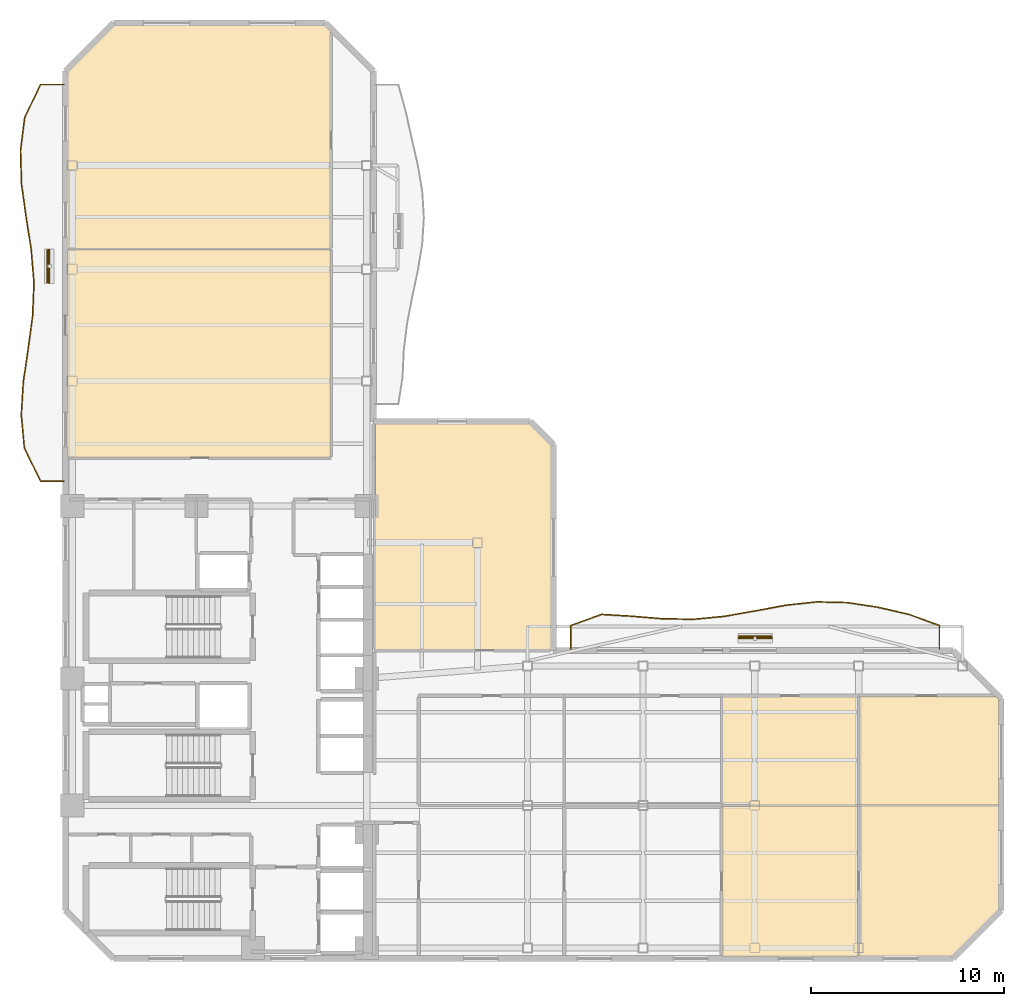
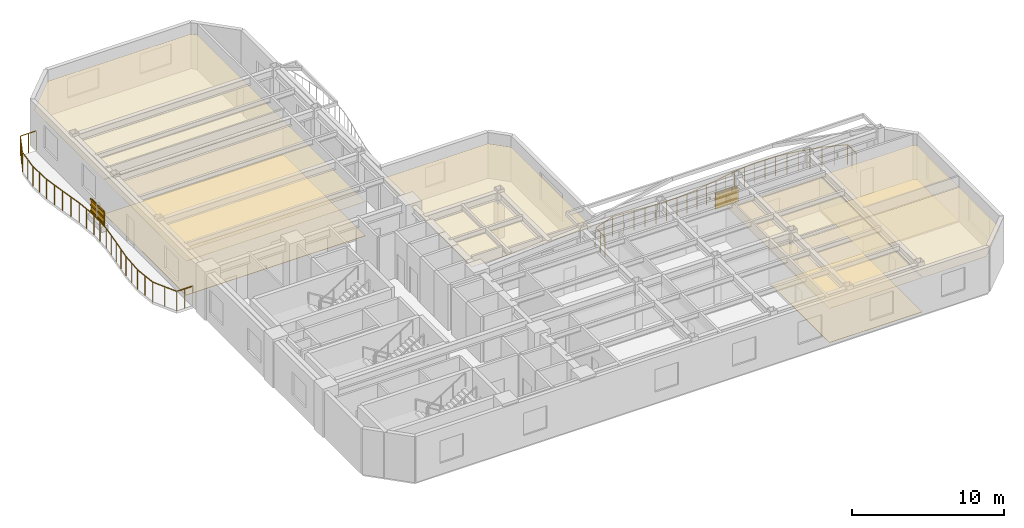
# One storey, part 8 of 9: 10 coverings, 8 shading devices, 2 railings.
"""IFC4 building model written with IfcOpenShell, lengths in metres."""

from ifc_helpers import new_model, si_unit, direction, frame, origin, origin_2d, place, context, subcontext, project, spatial, polyline, rectangle, outline, extrude, material, layer, layer_set, material_profile, profile_set, type_object, element, save


model = new_model("IFC4")

# Units and contexts
model_context = context("Model", 3, precision=1e-05, world=origin(), true_north=direction((0.0, 1.0)))
body_context = subcontext(model_context, "Body", "Model", "MODEL_VIEW")
ifc_project = project(units=[si_unit("LENGTHUNIT", "METRE"), si_unit("AREAUNIT", "SQUARE_METRE"), si_unit("VOLUMEUNIT", "CUBIC_METRE"), si_unit("PLANEANGLEUNIT", "RADIAN"), si_unit("MASSUNIT", "GRAM", prefix="KILO")], contexts=[model_context])

# Site, building, storey
site_placement = place(None, origin())
site = spatial("IfcSite", under=ifc_project, at=site_placement, CompositionType="ELEMENT")
building_placement = place(site_placement, origin())
building = spatial("IfcBuilding", under=site, at=building_placement, Name="Mawjaban Terraces University", CompositionType="ELEMENT")
storey_placement = place(building_placement, frame((0.0, 0.0, 126.800048828125)))
storey = spatial("IfcBuildingStorey", under=building, at=storey_placement, Name="L30", CompositionType="ELEMENT", Elevation=126.800048828125)

# Coverings
ifc_material_1 = material(Name="Acoustic mineral fibre ceiling tile", Category="masonry")
ifc_layer_1 = layer(ifc_material_1, 0.02001953125)
ifc_layer_set_1 = layer_set([ifc_layer_1], Name="Acoustic mineral fibre ceiling tile")
covering_type_1 = type_object("IfcCoveringType", Name="AcousticMineralCeiling_20", PredefinedType="CEILING", material=ifc_layer_set_1)
covering_1_placement = place(storey_placement, frame((0.0, 0.0, 2.75)))
element("IfcCovering", 1, at=covering_1_placement, inside=storey, type_object=covering_type_1, Name="L30 Reading Salon 6 Acoustic Ceiling", PredefinedType="CEILING", context=body_context, shape_type="SweptSolid", body=[
    extrude(outline(polyline([(56.110107421875, 0.114990234375), (63.169921875, 0.114990234375), (63.169921875, 7.919921875), (56.110107421875, 7.919921875), (56.110107421875, 0.114990234375)])), origin(), (0.0, 0.0, 1.0), 0.02001953125),
])
covering_2_placement = place(storey_placement, frame((0.0, 0.0, 2.75)))
element("IfcCovering", 2, at=covering_2_placement, inside=storey, type_object=covering_type_1, Name="L30 Academic Counseling Room 7 Acoustic Ceiling", PredefinedType="CEILING", context=body_context, shape_type="SweptSolid", body=[
    extrude(outline(polyline([(63.169921875, 7.97998046875), (63.169921875, 13.6201171875), (56.110107421875, 13.6201171875), (56.110107421875, 7.97998046875), (63.169921875, 7.97998046875)])), origin(), (0.0, 0.0, 1.0), 0.02001953125),
])
covering_3_placement = place(storey_placement, frame((0.0, 0.0, 2.75)))
element("IfcCovering", 3, at=covering_3_placement, inside=storey, type_object=covering_type_1, Name="L30 Academic Counseling Room 8 Acoustic Ceiling", PredefinedType="CEILING", context=body_context, shape_type="SweptSolid", body=[
    extrude(outline(polyline([(63.22998046875, 0.114990234375), (68.052978515625, 0.114990234375), (70.485107421875, 2.547119140625), (70.485107421875, 7.919921875), (63.22998046875, 7.919921875), (63.22998046875, 0.114990234375)])), origin(), (0.0, 0.0, 1.0), 0.02001953125),
])
covering_4_placement = place(storey_placement, frame((0.0, 0.0, 2.75)))
element("IfcCovering", 4, at=covering_4_placement, inside=storey, type_object=covering_type_1, Name="L30 Classroom 9 Acoustic Ceiling", PredefinedType="CEILING", context=body_context, shape_type="SweptSolid", body=[
    extrude(outline(polyline([(70.485107421875, 7.97998046875), (70.485107421875, 13.452880859375), (70.318115234375, 13.6201171875), (63.22998046875, 13.6201171875), (63.22998046875, 7.97998046875), (70.485107421875, 7.97998046875)])), origin(), (0.0, 0.0, 1.0), 0.02001953125),
])
covering_5_placement = place(storey_placement, frame((0.0, 0.0, 2.75)))
element("IfcCovering", 5, at=covering_5_placement, inside=storey, type_object=covering_type_1, Name="L30 Seminar Room 10 Acoustic Ceiling", PredefinedType="CEILING", context=body_context, shape_type="SweptSolid", body=[
    extrude(outline(polyline([(22.114990234375, 36.818115234375), (22.114990234375, 26.030029296875), (35.77001953125, 26.030029296875), (35.77001953125, 36.818115234375), (22.114990234375, 36.818115234375)])), origin(), (0.0, 0.0, 1.0), 0.02001953125),
])
covering_6_placement = place(storey_placement, frame((0.0, 0.0, 2.75)))
element("IfcCovering", 6, at=covering_6_placement, inside=storey, type_object=covering_type_1, Name="L30 Faculty Office 11 Acoustic Ceiling", PredefinedType="CEILING", context=body_context, shape_type="SweptSolid", body=[
    extrude(outline(polyline([(35.77001953125, 48.16796875), (35.452880859375, 48.485107421875), (24.547119140625, 48.485107421875), (22.114990234375, 46.052978515625), (22.114990234375, 36.8779296875), (35.77001953125, 36.8779296875), (35.77001953125, 48.16796875)])), origin(), (0.0, 0.0, 1.0), 0.02001953125),
])
covering_7_placement = place(storey_placement, frame((0.0, 0.0, 2.75)))
element("IfcCovering", 7, at=covering_7_placement, inside=storey, type_object=covering_type_1, Name="L30 Terrace Collaborative Study Room Acoustic Ceiling", PredefinedType="CEILING", context=body_context, shape_type="SweptSolid", body=[
    extrude(outline(polyline([(47.236083984375, 16.030029296875), (47.236083984375, 26.653076171875), (46.10400390625, 27.784912109375), (38.080078125, 27.784912109375), (38.080078125, 16.030029296875), (47.236083984375, 16.030029296875)])), origin(), (0.0, 0.0, 1.0), 0.02001953125),
])

# Railings
ifc_material_2 = material(Name="Galvanised powder-coated steel S355", Category="steel")
railing_type = type_object("IfcRailingType", Name="BalconyBalustrade_1600", PredefinedType="BALUSTRADE", material=ifc_material_2)
railing_1_placement = place(storey_placement, frame((21.919921875, 24.800048828125, 0.0)))
element("IfcRailing", 8, at=railing_1_placement, inside=storey, type_object=railing_type, Name="L30 Balcony Guardrail west", PredefinedType="BALUSTRADE", context=body_context, shape_type="SweptSolid", body=[
    extrude(rectangle(XDim=0.048095703125, YDim=0.048095703125, at=origin_2d()), frame((0.0, 0.0, 1.576171875), z_axis=(-1.0, 0.0, 0.0), x_axis=(0.0, -1.0, 0.0)), (0.0, 0.0, 1.0), 1.219970703125),
    extrude(rectangle(XDim=0.048095703125, YDim=0.048095703125, at=origin_2d()), frame((-1.219970703125, 0.0, 1.576171875), z_axis=(-0.438967233207, 0.898503070763, 0.0), x_axis=(-0.898503070763, -0.438967233207, 0.0)), (0.0, 0.0, 1.0), 1.910888671875),
    extrude(rectangle(XDim=0.048095703125, YDim=0.048095703125, at=origin_2d()), frame((-2.058837890625, 1.717041015625, 1.576171875), z_axis=(-0.092375103875, 0.995724279198, 0.0), x_axis=(-0.995724279198, -0.092375103875, 0.0)), (0.0, 0.0, 1.0), 1.72314453125),
    extrude(rectangle(XDim=0.048095703125, YDim=0.048095703125, at=origin_2d()), frame((-2.218017578125, 3.432861328125, 1.576171875), z_axis=(0.060460779806, 0.998170573652, 0.0), x_axis=(-0.998170573652, 0.060460779806, 0.0)), (0.0, 0.0, 1.0), 1.72021484375),
    extrude(rectangle(XDim=0.048095703125, YDim=0.048095703125, at=origin_2d()), frame((-2.114013671875, 5.14990234375, 1.576171875), z_axis=(0.145319838809, 0.989384730248, 0.0), x_axis=(-0.989384730248, 0.145319838809, 0.0)), (0.0, 0.0, 1.0), 1.7353515625),
    extrude(rectangle(XDim=0.048095703125, YDim=0.048095703125, at=origin_2d()), frame((-1.86181640625, 6.866943359375, 1.576171875), z_axis=(0.13449037063, 0.990914900588, 0.0), x_axis=(-0.990914900588, 0.13449037063, 0.0)), (0.0, 0.0, 1.0), 1.731689453125),
    extrude(rectangle(XDim=0.048095703125, YDim=0.048095703125, at=origin_2d()), frame((-1.62890625, 8.5830078125, 1.576171875), z_axis=(0.03949709548, 0.999219685279, 0.0), x_axis=(-0.999219685279, 0.03949709548, 0.0)), (0.0, 0.0, 1.0), 1.71826171875),
    extrude(rectangle(XDim=0.048095703125, YDim=0.048095703125, at=origin_2d()), frame((-1.56103515625, 10.300048828125, 1.576171875), z_axis=(-0.081778633237, 0.996650518058, 0.0), x_axis=(-0.996650518058, -0.081778633237, 0.0)), (0.0, 0.0, 1.0), 1.72265625),
    extrude(rectangle(XDim=0.048095703125, YDim=0.048095703125, at=origin_2d()), frame((-1.701904296875, 12.016845703125, 1.576171875), z_axis=(-0.155435721356, 0.987846008509, 0.0), x_axis=(-0.987846008509, -0.155435721356, 0.0)), (0.0, 0.0, 1.0), 1.737060546875),
    extrude(rectangle(XDim=0.048095703125, YDim=0.048095703125, at=origin_2d()), frame((-1.971923828125, 13.73291015625, 1.576171875), z_axis=(-0.136766084598, 0.990603370731, 0.0), x_axis=(-0.990603370731, -0.136766084598, 0.0)), (0.0, 0.0, 1.0), 1.7333984375),
    extrude(rectangle(XDim=0.048095703125, YDim=0.048095703125, at=origin_2d()), frame((-2.208984375, 15.449951171875, 1.576171875), z_axis=(-0.02842587525, 0.999595903161, 0.0), x_axis=(-0.999595903161, -0.02842587525, 0.0)), (0.0, 0.0, 1.0), 1.7177734375),
    extrude(rectangle(XDim=0.048095703125, YDim=0.048095703125, at=origin_2d()), frame((-2.2578125, 17.1669921875, 1.576171875), z_axis=(0.124781739438, 0.992184215508, 0.0), x_axis=(-0.992184215508, 0.124781739438, 0.0)), (0.0, 0.0, 1.0), 1.7294921875),
    extrude(rectangle(XDim=0.048095703125, YDim=0.048095703125, at=origin_2d()), frame((-2.0419921875, 18.883056640625, 1.576171875), z_axis=(0.431859381841, 0.901940948353, 0.0), x_axis=(-0.901940948353, 0.431859381841, 0.0)), (0.0, 0.0, 1.0), 1.903564453125),
    extrude(rectangle(XDim=0.048095703125, YDim=0.048095703125, at=origin_2d()), frame((-1.219970703125, 20.599853515625, 1.576171875), z_axis=(1.0, 0.0, 0.0), x_axis=(0.0, 1.0, 0.0)), (0.0, 0.0, 1.0), 1.219970703125),
    extrude(rectangle(XDim=0.0419921875, YDim=0.0419921875, at=origin_2d()), origin(), (0.0, 0.0, 1.0), 1.552001953125),
    extrude(rectangle(XDim=0.0419921875, YDim=0.0419921875, at=origin_2d()), frame((-0.60986328125, 0.0, 0.0)), (0.0, 0.0, 1.0), 1.552001953125),
    extrude(rectangle(XDim=0.0419921875, YDim=0.0419921875, at=origin_2d()), frame((-1.219970703125, 0.0, 0.0)), (0.0, 0.0, 1.0), 1.552001953125),
    extrude(rectangle(XDim=0.0419921875, YDim=0.0419921875, at=origin_2d()), frame((-1.639404296875, 0.8583984375, 0.0)), (0.0, 0.0, 1.0), 1.552001953125),
    extrude(rectangle(XDim=0.0419921875, YDim=0.0419921875, at=origin_2d()), frame((-2.058837890625, 1.717041015625, 0.0)), (0.0, 0.0, 1.0), 1.552001953125),
    extrude(rectangle(XDim=0.0419921875, YDim=0.0419921875, at=origin_2d()), frame((-2.138427734375, 2.574951171875, 0.0)), (0.0, 0.0, 1.0), 1.552001953125),
    extrude(rectangle(XDim=0.0419921875, YDim=0.0419921875, at=origin_2d()), frame((-2.218017578125, 3.432861328125, 0.0)), (0.0, 0.0, 1.0), 1.552001953125),
    extrude(rectangle(XDim=0.0419921875, YDim=0.0419921875, at=origin_2d()), frame((-2.166015625, 4.29150390625, 0.0)), (0.0, 0.0, 1.0), 1.552001953125),
    extrude(rectangle(XDim=0.0419921875, YDim=0.0419921875, at=origin_2d()), frame((-2.114013671875, 5.14990234375, 0.0)), (0.0, 0.0, 1.0), 1.552001953125),
    extrude(rectangle(XDim=0.0419921875, YDim=0.0419921875, at=origin_2d()), frame((-1.98779296875, 6.00830078125, 0.0)), (0.0, 0.0, 1.0), 1.552001953125),
    extrude(rectangle(XDim=0.0419921875, YDim=0.0419921875, at=origin_2d()), frame((-1.86181640625, 6.866943359375, 0.0)), (0.0, 0.0, 1.0), 1.552001953125),
    extrude(rectangle(XDim=0.0419921875, YDim=0.0419921875, at=origin_2d()), frame((-1.745361328125, 7.72509765625, 0.0)), (0.0, 0.0, 1.0), 1.552001953125),
    extrude(rectangle(XDim=0.0419921875, YDim=0.0419921875, at=origin_2d()), frame((-1.62890625, 8.5830078125, 0.0)), (0.0, 0.0, 1.0), 1.552001953125),
    extrude(rectangle(XDim=0.0419921875, YDim=0.0419921875, at=origin_2d()), frame((-1.594970703125, 9.44140625, 0.0)), (0.0, 0.0, 1.0), 1.552001953125),
    extrude(rectangle(XDim=0.0419921875, YDim=0.0419921875, at=origin_2d()), frame((-1.56103515625, 10.300048828125, 0.0)), (0.0, 0.0, 1.0), 1.552001953125),
    extrude(rectangle(XDim=0.0419921875, YDim=0.0419921875, at=origin_2d()), frame((-1.63134765625, 11.158447265625, 0.0)), (0.0, 0.0, 1.0), 1.552001953125),
    extrude(rectangle(XDim=0.0419921875, YDim=0.0419921875, at=origin_2d()), frame((-1.701904296875, 12.016845703125, 0.0)), (0.0, 0.0, 1.0), 1.552001953125),
    extrude(rectangle(XDim=0.0419921875, YDim=0.0419921875, at=origin_2d()), frame((-1.8369140625, 12.875, 0.0)), (0.0, 0.0, 1.0), 1.552001953125),
    extrude(rectangle(XDim=0.0419921875, YDim=0.0419921875, at=origin_2d()), frame((-1.971923828125, 13.73291015625, 0.0)), (0.0, 0.0, 1.0), 1.552001953125),
    extrude(rectangle(XDim=0.0419921875, YDim=0.0419921875, at=origin_2d()), frame((-2.09033203125, 14.59130859375, 0.0)), (0.0, 0.0, 1.0), 1.552001953125),
    extrude(rectangle(XDim=0.0419921875, YDim=0.0419921875, at=origin_2d()), frame((-2.208984375, 15.449951171875, 0.0)), (0.0, 0.0, 1.0), 1.552001953125),
    extrude(rectangle(XDim=0.0419921875, YDim=0.0419921875, at=origin_2d()), frame((-2.2333984375, 16.30859375, 0.0)), (0.0, 0.0, 1.0), 1.552001953125),
    extrude(rectangle(XDim=0.0419921875, YDim=0.0419921875, at=origin_2d()), frame((-2.2578125, 17.1669921875, 0.0)), (0.0, 0.0, 1.0), 1.552001953125),
    extrude(rectangle(XDim=0.0419921875, YDim=0.0419921875, at=origin_2d()), frame((-2.14990234375, 18.02490234375, 0.0)), (0.0, 0.0, 1.0), 1.552001953125),
    extrude(rectangle(XDim=0.0419921875, YDim=0.0419921875, at=origin_2d()), frame((-2.0419921875, 18.883056640625, 0.0)), (0.0, 0.0, 1.0), 1.552001953125),
    extrude(rectangle(XDim=0.0419921875, YDim=0.0419921875, at=origin_2d()), frame((-1.630859375, 19.741455078125, 0.0)), (0.0, 0.0, 1.0), 1.552001953125),
    extrude(rectangle(XDim=0.0419921875, YDim=0.0419921875, at=origin_2d()), frame((-1.219970703125, 20.599853515625, 0.0)), (0.0, 0.0, 1.0), 1.552001953125),
    extrude(rectangle(XDim=0.0419921875, YDim=0.0419921875, at=origin_2d()), frame((-0.60986328125, 20.599853515625, 0.0)), (0.0, 0.0, 1.0), 1.552001953125),
    extrude(rectangle(XDim=0.0419921875, YDim=0.0419921875, at=origin_2d()), frame((0.0, 20.599853515625, 0.0)), (0.0, 0.0, 1.0), 1.552001953125),
])
railing_2_placement = place(storey_placement, frame((48.2509765625, 16.080078125, 0.0)))
element("IfcRailing", 9, at=railing_2_placement, inside=storey, type_object=railing_type, Name="L30 Balcony Guardrail inner_north", PredefinedType="BALUSTRADE", context=body_context, shape_type="SweptSolid", body=[
    extrude(rectangle(XDim=0.048095703125, YDim=0.048095703125, at=origin_2d()), frame((0.0, 0.0, 1.576171875), z_axis=(0.0, 1.0, 0.0), x_axis=(-1.0, 0.0, 0.0)), (0.0, 0.0, 1.0), 1.219970703125),
    extrude(rectangle(XDim=0.048095703125, YDim=0.048095703125, at=origin_2d()), frame((0.0, 1.219970703125, 1.576171875), z_axis=(0.940626659326, 0.339442907962, 0.0), x_axis=(-0.339442907962, 0.940626659326, 0.0)), (0.0, 0.0, 1.0), 1.69677734375),
    extrude(rectangle(XDim=0.048095703125, YDim=0.048095703125, at=origin_2d()), frame((1.595947265625, 1.7958984375, 1.576171875), z_axis=(0.998303755158, -0.05822037819, 0.0), x_axis=(0.05822037819, 0.998303755158, 0.0)), (0.0, 0.0, 1.0), 1.59765625),
    extrude(rectangle(XDim=0.048095703125, YDim=0.048095703125, at=origin_2d()), frame((3.19091796875, 1.702880859375, 1.576171875), z_axis=(0.99649300158, -0.083676148343, 0.0), x_axis=(0.083676148343, 0.99649300158, 0.0)), (0.0, 0.0, 1.0), 1.601806640625),
    extrude(rectangle(XDim=0.048095703125, YDim=0.048095703125, at=origin_2d()), frame((4.787109375, 1.56884765625, 1.576171875), z_axis=(0.999896628362, -0.014378198419, 0.0), x_axis=(0.014378198419, 0.999896628362, 0.0)), (0.0, 0.0, 1.0), 1.59619140625),
    extrude(rectangle(XDim=0.048095703125, YDim=0.048095703125, at=origin_2d()), frame((6.383056640625, 1.5458984375, 1.576171875), z_axis=(0.995546661763, 0.094270060216, 0.0), x_axis=(-0.094270060216, 0.995546661763, 0.0)), (0.0, 0.0, 1.0), 1.60302734375),
    extrude(rectangle(XDim=0.048095703125, YDim=0.048095703125, at=origin_2d()), frame((7.97900390625, 1.697021484375, 1.576171875), z_axis=(0.984643735334, 0.17457581295, 0.0), x_axis=(-0.17457581295, 0.984643735334, 0.0)), (0.0, 0.0, 1.0), 1.620849609375),
    extrude(rectangle(XDim=0.048095703125, YDim=0.048095703125, at=origin_2d()), frame((9.574951171875, 1.97998046875, 1.576171875), z_axis=(0.983330877725, 0.181825149287, 0.0), x_axis=(-0.181825149287, 0.983330877725, 0.0)), (0.0, 0.0, 1.0), 1.6220703125),
    extrude(rectangle(XDim=0.048095703125, YDim=0.048095703125, at=origin_2d()), frame((11.169921875, 2.27490234375, 1.576171875), z_axis=(0.994171420844, 0.107810880602, 0.0), x_axis=(-0.107810880602, 0.994171420844, 0.0)), (0.0, 0.0, 1.0), 1.60546875),
    extrude(rectangle(XDim=0.048095703125, YDim=0.048095703125, at=origin_2d()), frame((12.76611328125, 2.447998046875, 1.576171875), z_axis=(0.999729775858, -0.023245973066, 0.0), x_axis=(0.023245973066, 0.999729775858, 0.0)), (0.0, 0.0, 1.0), 1.596435546875),
    extrude(rectangle(XDim=0.048095703125, YDim=0.048095703125, at=origin_2d()), frame((14.362060546875, 2.410888671875, 1.576171875), z_axis=(0.988613457964, -0.150477342921, 0.0), x_axis=(0.150477342921, 0.988613457964, 0.0)), (0.0, 0.0, 1.0), 1.6142578125),
    extrude(rectangle(XDim=0.048095703125, YDim=0.048095703125, at=origin_2d()), frame((15.9580078125, 2.16796875, 1.576171875), z_axis=(0.974541824701, -0.224205780273, 0.0), x_axis=(0.224205780273, 0.974541824701, 0.0)), (0.0, 0.0, 1.0), 1.63671875),
    extrude(rectangle(XDim=0.048095703125, YDim=0.048095703125, at=origin_2d()), frame((17.552978515625, 1.801025390625, 1.576171875), z_axis=(0.939659049307, -0.342112366124, 0.0), x_axis=(0.342112366124, 0.939659049307, 0.0)), (0.0, 0.0, 1.0), 1.698486328125),
    extrude(rectangle(XDim=0.048095703125, YDim=0.048095703125, at=origin_2d()), frame((19.14892578125, 1.219970703125, 1.576171875), z_axis=(0.0, -1.0, 0.0), x_axis=(1.0, 0.0, 0.0)), (0.0, 0.0, 1.0), 1.219970703125),
    extrude(rectangle(XDim=0.0419921875, YDim=0.0419921875, at=origin_2d()), origin(), (0.0, 0.0, 1.0), 1.552001953125),
    extrude(rectangle(XDim=0.0419921875, YDim=0.0419921875, at=origin_2d()), frame((0.0, 0.60986328125, 0.0)), (0.0, 0.0, 1.0), 1.552001953125),
    extrude(rectangle(XDim=0.0419921875, YDim=0.0419921875, at=origin_2d()), frame((0.0, 1.219970703125, 0.0)), (0.0, 0.0, 1.0), 1.552001953125),
    extrude(rectangle(XDim=0.0419921875, YDim=0.0419921875, at=origin_2d()), frame((0.7978515625, 1.5078125, 0.0)), (0.0, 0.0, 1.0), 1.552001953125),
    extrude(rectangle(XDim=0.0419921875, YDim=0.0419921875, at=origin_2d()), frame((1.595947265625, 1.7958984375, 0.0)), (0.0, 0.0, 1.0), 1.552001953125),
    extrude(rectangle(XDim=0.0419921875, YDim=0.0419921875, at=origin_2d()), frame((2.3935546875, 1.74951171875, 0.0)), (0.0, 0.0, 1.0), 1.552001953125),
    extrude(rectangle(XDim=0.0419921875, YDim=0.0419921875, at=origin_2d()), frame((3.19091796875, 1.702880859375, 0.0)), (0.0, 0.0, 1.0), 1.552001953125),
    extrude(rectangle(XDim=0.0419921875, YDim=0.0419921875, at=origin_2d()), frame((3.989013671875, 1.6357421875, 0.0)), (0.0, 0.0, 1.0), 1.552001953125),
    extrude(rectangle(XDim=0.0419921875, YDim=0.0419921875, at=origin_2d()), frame((4.787109375, 1.56884765625, 0.0)), (0.0, 0.0, 1.0), 1.552001953125),
    extrude(rectangle(XDim=0.0419921875, YDim=0.0419921875, at=origin_2d()), frame((5.5849609375, 1.557373046875, 0.0)), (0.0, 0.0, 1.0), 1.552001953125),
    extrude(rectangle(XDim=0.0419921875, YDim=0.0419921875, at=origin_2d()), frame((6.383056640625, 1.5458984375, 0.0)), (0.0, 0.0, 1.0), 1.552001953125),
    extrude(rectangle(XDim=0.0419921875, YDim=0.0419921875, at=origin_2d()), frame((7.18115234375, 1.62158203125, 0.0)), (0.0, 0.0, 1.0), 1.552001953125),
    extrude(rectangle(XDim=0.0419921875, YDim=0.0419921875, at=origin_2d()), frame((7.97900390625, 1.697021484375, 0.0)), (0.0, 0.0, 1.0), 1.552001953125),
    extrude(rectangle(XDim=0.0419921875, YDim=0.0419921875, at=origin_2d()), frame((8.77685546875, 1.83837890625, 0.0)), (0.0, 0.0, 1.0), 1.552001953125),
    extrude(rectangle(XDim=0.0419921875, YDim=0.0419921875, at=origin_2d()), frame((9.574951171875, 1.97998046875, 0.0)), (0.0, 0.0, 1.0), 1.552001953125),
    extrude(rectangle(XDim=0.0419921875, YDim=0.0419921875, at=origin_2d()), frame((10.37255859375, 2.12744140625, 0.0)), (0.0, 0.0, 1.0), 1.552001953125),
    extrude(rectangle(XDim=0.0419921875, YDim=0.0419921875, at=origin_2d()), frame((11.169921875, 2.27490234375, 0.0)), (0.0, 0.0, 1.0), 1.552001953125),
    extrude(rectangle(XDim=0.0419921875, YDim=0.0419921875, at=origin_2d()), frame((11.968017578125, 2.361328125, 0.0)), (0.0, 0.0, 1.0), 1.552001953125),
    extrude(rectangle(XDim=0.0419921875, YDim=0.0419921875, at=origin_2d()), frame((12.76611328125, 2.447998046875, 0.0)), (0.0, 0.0, 1.0), 1.552001953125),
    extrude(rectangle(XDim=0.0419921875, YDim=0.0419921875, at=origin_2d()), frame((13.56396484375, 2.429443359375, 0.0)), (0.0, 0.0, 1.0), 1.552001953125),
    extrude(rectangle(XDim=0.0419921875, YDim=0.0419921875, at=origin_2d()), frame((14.362060546875, 2.410888671875, 0.0)), (0.0, 0.0, 1.0), 1.552001953125),
    extrude(rectangle(XDim=0.0419921875, YDim=0.0419921875, at=origin_2d()), frame((15.16015625, 2.28955078125, 0.0)), (0.0, 0.0, 1.0), 1.552001953125),
    extrude(rectangle(XDim=0.0419921875, YDim=0.0419921875, at=origin_2d()), frame((15.9580078125, 2.16796875, 0.0)), (0.0, 0.0, 1.0), 1.552001953125),
    extrude(rectangle(XDim=0.0419921875, YDim=0.0419921875, at=origin_2d()), frame((16.75537109375, 1.984375, 0.0)), (0.0, 0.0, 1.0), 1.552001953125),
    extrude(rectangle(XDim=0.0419921875, YDim=0.0419921875, at=origin_2d()), frame((17.552978515625, 1.801025390625, 0.0)), (0.0, 0.0, 1.0), 1.552001953125),
    extrude(rectangle(XDim=0.0419921875, YDim=0.0419921875, at=origin_2d()), frame((18.35107421875, 1.510498046875, 0.0)), (0.0, 0.0, 1.0), 1.552001953125),
    extrude(rectangle(XDim=0.0419921875, YDim=0.0419921875, at=origin_2d()), frame((19.14892578125, 1.219970703125, 0.0)), (0.0, 0.0, 1.0), 1.552001953125),
    extrude(rectangle(XDim=0.0419921875, YDim=0.0419921875, at=origin_2d()), frame((19.14892578125, 0.60986328125, 0.0)), (0.0, 0.0, 1.0), 1.552001953125),
    extrude(rectangle(XDim=0.0419921875, YDim=0.0419921875, at=origin_2d()), frame((19.14892578125, 0.0, 0.0)), (0.0, 0.0, 1.0), 1.552001953125),
])

# Shading devices
ifc_material_3 = material(Name="Glazed architectural terracotta ceramic", Category="masonry")
ifc_material_profile = material_profile(ifc_material_3, rectangle(XDim=0.06494140625, YDim=0.110107421875, at=origin_2d()), Name="TBAG110X65")
ifc_profile_set = profile_set([ifc_material_profile], Name="Glazed architectural terracotta ceramic")
shading_device_type_1 = type_object("IfcShadingDeviceType", Name="TerracottaBaguette_110x65", PredefinedType="USERDEFINED", material=ifc_profile_set)
for number, where, z_axis, x_axis, name in (
    (10, (21.06396484375, 35.10888671875, 0.679931640625), (0.0, 1.0, 0.0), (-1.0, 0.0, 0.0), "L30 Horizontal Terracotta Baguette west.1"),
    (11, (21.06396484375, 35.10888671875, 1.14990234375), (0.0, 1.0, 0.0), (-1.0, 0.0, 0.0), "L30 Horizontal Terracotta Baguette west.2"),
    (12, (21.06396484375, 35.10888671875, 1.619873046875), (0.0, 1.0, 0.0), (-1.0, 0.0, 0.0), "L30 Horizontal Terracotta Baguette west.3"),
):
    element("IfcShadingDevice", number, at=place(storey_placement, frame(where, z_axis=z_axis, x_axis=x_axis)), inside=storey, type_object=shading_device_type_1, Name=name, ObjectType="BAGUETTE", PredefinedType="USERDEFINED", context=body_context, shape_type="SweptSolid", body=[
        extrude(rectangle(XDim=0.06494140625, YDim=0.110107421875, at=origin_2d()), origin(), (0.0, 0.0, 1.0), 1.7001953125),
    ])
for number, where, z_axis, x_axis, name in (
    (13, (56.97607421875, 16.72998046875, 0.679931640625), (1.0, 0.0, 0.0), (0.0, 1.0, 0.0), "L30 Horizontal Terracotta Baguette inner_north.1"),
    (14, (56.97607421875, 16.72998046875, 1.14990234375), (1.0, 0.0, 0.0), (0.0, 1.0, 0.0), "L30 Horizontal Terracotta Baguette inner_north.2"),
    (15, (56.97607421875, 16.72998046875, 1.619873046875), (1.0, 0.0, 0.0), (0.0, 1.0, 0.0), "L30 Horizontal Terracotta Baguette inner_north.3"),
):
    element("IfcShadingDevice", number, at=place(storey_placement, frame(where, z_axis=z_axis, x_axis=x_axis)), inside=storey, type_object=shading_device_type_1, Name=name, ObjectType="BAGUETTE", PredefinedType="USERDEFINED", context=body_context, shape_type="SweptSolid", body=[
        extrude(rectangle(XDim=0.06494140625, YDim=0.110107421875, at=origin_2d()), origin(), (0.0, 0.0, 1.0), 1.699951171875),
    ])
ifc_layer_2 = layer(ifc_material_3, 0.080078125)
ifc_layer_set_2 = layer_set([ifc_layer_2], Name="Glazed architectural terracotta ceramic")
shading_device_type_2 = type_object("IfcShadingDeviceType", Name="TerracottaScreen_Perforated", PredefinedType="USERDEFINED", material=ifc_layer_set_2)
for number, where, z_axis, x_axis, name in (
    (16, (21.14892578125, 35.958984375, 0.43994140625), (0.0, 0.0, 1.0), (0.0, 1.0, 0.0), "L30 Balcony Perforated Terracotta Screen west"),
    (17, (57.825927734375, 16.64501953125, 0.43994140625), (0.0, 0.0, 1.0), (1.0, 0.0, 0.0), "L30 Balcony Perforated Terracotta Screen inner_north"),
):
    element("IfcShadingDevice", number, at=place(storey_placement, frame(where, z_axis=z_axis, x_axis=x_axis)), inside=storey, type_object=shading_device_type_2, Name=name, ObjectType="SCREEN", PredefinedType="USERDEFINED", context=body_context, shape_type="SweptSolid", body=[
        extrude(rectangle(XDim=1.75, YDim=0.080078125, at=origin_2d()), origin(), (0.0, 0.0, 1.0), 1.14990234375),
    ])

# Coverings
ifc_material_4 = material(Name="Polished Hijazi granite terrazzo flooring", Category="masonry")
ifc_layer_3 = layer(ifc_material_4, 0.02490234375)
ifc_layer_set_3 = layer_set([ifc_layer_3], Name="Polished Hijazi granite terrazzo flooring")
covering_type_2 = type_object("IfcCoveringType", Name="TerrazzoConcourseFlooring_25", PredefinedType="FLOORING", material=ifc_layer_set_3)
covering_8_placement = place(storey_placement, origin())
element("IfcCovering", 18, at=covering_8_placement, inside=storey, type_object=covering_type_2, Name="L30 Reading Salon 6 Terrazzo Flooring", PredefinedType="FLOORING", context=body_context, shape_type="SweptSolid", body=[
    extrude(outline(polyline([(56.110107421875, 0.114990234375), (63.169921875, 0.114990234375), (63.169921875, 7.919921875), (56.110107421875, 7.919921875), (56.110107421875, 0.114990234375)])), origin(), (0.0, 0.0, 1.0), 0.02490234375),
])
covering_9_placement = place(storey_placement, origin())
element("IfcCovering", 19, at=covering_9_placement, inside=storey, type_object=covering_type_2, Name="L30 Classroom 9 Terrazzo Flooring", PredefinedType="FLOORING", context=body_context, shape_type="SweptSolid", body=[
    extrude(outline(polyline([(70.485107421875, 7.97998046875), (70.485107421875, 13.452880859375), (70.318115234375, 13.6201171875), (63.22998046875, 13.6201171875), (63.22998046875, 7.97998046875), (70.485107421875, 7.97998046875)])), origin(), (0.0, 0.0, 1.0), 0.02490234375),
])
covering_10_placement = place(storey_placement, origin())
element("IfcCovering", 20, at=covering_10_placement, inside=storey, type_object=covering_type_2, Name="L30 Seminar Room 10 Terrazzo Flooring", PredefinedType="FLOORING", context=body_context, shape_type="SweptSolid", body=[
    extrude(outline(polyline([(22.114990234375, 36.818115234375), (22.114990234375, 26.030029296875), (35.77001953125, 26.030029296875), (35.77001953125, 36.818115234375), (22.114990234375, 36.818115234375)])), origin(), (0.0, 0.0, 1.0), 0.02490234375),
])

save(model, "model.ifc")
